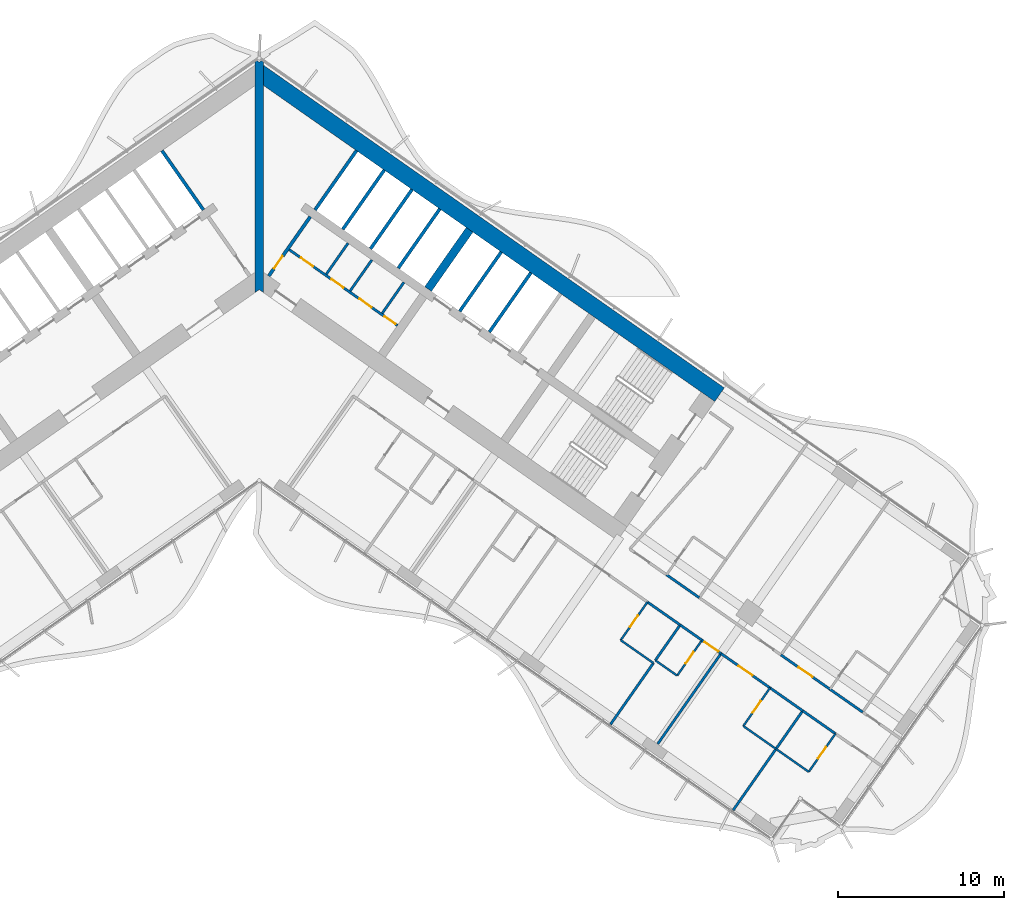
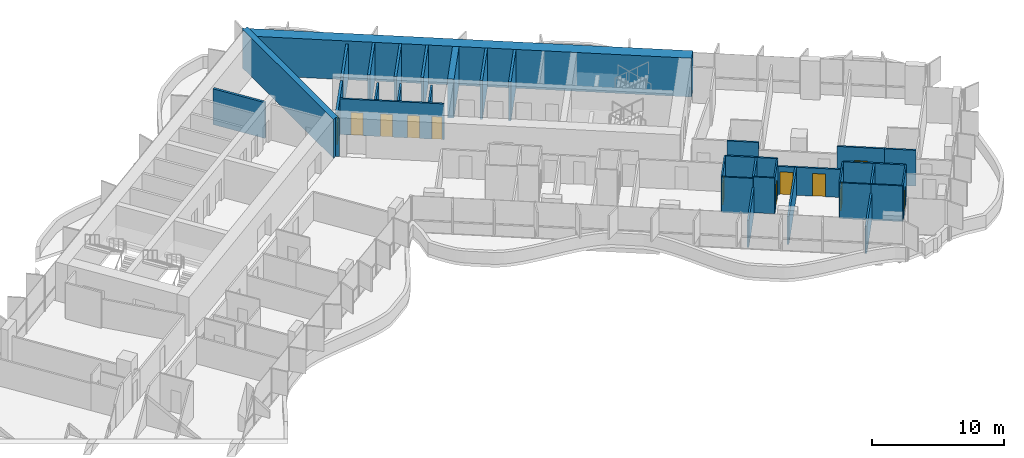
# One storey, part 16 of 24: 37 walls, 12 doors, 12 openings.
"""IFC4 building model written with IfcOpenShell, lengths in metres."""

import ifcopenshell
import ifcopenshell.guid

model = None  # the IFC model being written
_history = None  # IfcOwnerHistory: only IFC2X3 demands one
_inside = {}  # id of a spatial element -> (the spatial element, [elements in it])
_under = {}  # id of a project, library or spatial element -> (it, [spatial elements below it])
_declared = {}  # id of a project -> (the project, [libraries it declares])
_typed = {}  # id of a type object -> (the type object, [elements of that type])
_made_of = {}  # id of a material, layer set ... -> (it, [elements and type objects made of it])


def new_model(schema):
    """Start an empty IFC model of exactly this schema.

    Asked for "IFC4X3", IfcOpenShell would pick the latest addendum, in which some entities
    have other attributes; the version numbers below select the first issue.
    IFC2X3 requires an IfcOwnerHistory on every rooted entity: one is made here for all.
    """
    global model, _history
    if schema == "IFC4X3":
        model = ifcopenshell.file(schema_version=(4, 3, 0, 0))
    else:
        model = ifcopenshell.file(schema=schema)
    _inside.clear()
    _under.clear()
    _declared.clear()
    _typed.clear()
    _made_of.clear()
    _history = None
    if model.schema == "IFC2X3":
        org = make("IfcOrganization", Name="unknown")
        user = make(
            "IfcPersonAndOrganization",
            ThePerson=make("IfcPerson", FamilyName="unknown"),
            TheOrganization=org,
        )
        app = make(
            "IfcApplication",
            ApplicationDeveloper=org,
            Version="unknown",
            ApplicationFullName="unknown",
            ApplicationIdentifier="unknown",
        )
        _history = make(
            "IfcOwnerHistory",
            OwningUser=user,
            OwningApplication=app,
            ChangeAction="ADDED",
            CreationDate=0,
        )
    return model


def make(cls, **values):
    """One entity of the class cls with the attributes given. An attribute that is None is left unset."""
    return model.create_entity(
        cls, **{name: value for name, value in values.items() if value is not None}
    )


def rooted(cls, **values):
    """An entity with a GlobalId (a new one), such as an element, a storey or a relation."""
    return make(cls, GlobalId=ifcopenshell.guid.new(), OwnerHistory=_history, **values)


def si_unit(unit_type, name, prefix=None):
    """IfcSIUnit, for example si_unit("LENGTHUNIT", "METRE", prefix="MILLI")."""
    return make("IfcSIUnit", UnitType=unit_type, Prefix=prefix, Name=name)


def assignment(units):
    """IfcUnitAssignment: the units of a project."""
    return None if units is None else make("IfcUnitAssignment", Units=units)


def point(xyz):
    """IfcCartesianPoint."""
    return None if xyz is None else make("IfcCartesianPoint", Coordinates=xyz)


def direction(xyz):
    """IfcDirection."""
    return None if xyz is None else make("IfcDirection", DirectionRatios=xyz)


def frame(location, z_axis=None, x_axis=None):
    """IfcAxis2Placement3D, a coordinate frame: its origin and axes. An axis left out is left unset."""
    return make(
        "IfcAxis2Placement3D",
        Location=point(location),
        Axis=direction(z_axis),
        RefDirection=direction(x_axis),
    )


def frame_2d(location, x_axis=None):
    """IfcAxis2Placement2D, a coordinate frame in the plane: its origin and x axis."""
    return make(
        "IfcAxis2Placement2D", Location=point(location), RefDirection=direction(x_axis)
    )


def origin():
    """The frame at (0, 0, 0) with its axes left unset."""
    return frame((0.0, 0.0, 0.0))


def place(relative_to, where):
    """IfcLocalPlacement: puts the frame where relative to a parent placement (None: the world)."""
    return make(
        "IfcLocalPlacement", PlacementRelTo=relative_to, RelativePlacement=where
    )


def context(
    kind, dimensions, precision=None, world=None, true_north=None, identifier=None
):
    """IfcGeometricRepresentationContext, for example the 3D "Model" context."""
    return make(
        "IfcGeometricRepresentationContext",
        ContextIdentifier=identifier,
        ContextType=kind,
        CoordinateSpaceDimension=dimensions,
        Precision=precision,
        WorldCoordinateSystem=world,
        TrueNorth=true_north,
    )


def subcontext(parent, identifier, kind, view, scale=None):
    """IfcGeometricRepresentationSubContext, for example "Body" below "Model"."""
    return make(
        "IfcGeometricRepresentationSubContext",
        ContextIdentifier=identifier,
        ContextType=kind,
        ParentContext=parent,
        TargetScale=scale,
        TargetView=view,
    )


def project(units=None, contexts=None):
    """IfcProject with its units and contexts."""
    return rooted(
        "IfcProject",
        Name="project",
        RepresentationContexts=contexts,
        UnitsInContext=assignment(units),
    )


def spatial(cls, under=None, at=None, **own):
    """A site, building, storey or space (cls), placed at a placement, below another one or the project."""
    s = rooted(cls, ObjectPlacement=at, **own)
    if under is not None:
        _under.setdefault(under.id(), (under, []))[1].append(s)
    return s


def polyline(points):
    """IfcPolyline through the points."""
    return make("IfcPolyline", Points=[point(p) for p in points])


def profile(cls, at=None, kind="AREA", **sizes):
    """A parametric profile (cls). Its sizes go by their IFC names, for example OverallWidth=200.0."""
    return make(cls, ProfileType=kind, Position=at, **sizes)


def rectangle(**sizes):
    """IfcRectangleProfileDef."""
    return profile("IfcRectangleProfileDef", **sizes)


def outline(outer, holes=None, kind="AREA"):
    """IfcArbitraryClosedProfileDef: a profile drawn as a closed curve; with holes, ...WithVoids."""
    if holes is None:
        return make("IfcArbitraryClosedProfileDef", ProfileType=kind, OuterCurve=outer)
    return make(
        "IfcArbitraryProfileDefWithVoids",
        ProfileType=kind,
        OuterCurve=outer,
        InnerCurves=holes,
    )


def extrude(swept, where, along, depth):
    """IfcExtrudedAreaSolid: the profile swept, set in the frame where, extruded along a direction by depth."""
    return make(
        "IfcExtrudedAreaSolid",
        SweptArea=swept,
        Position=where,
        ExtrudedDirection=direction(along),
        Depth=depth,
    )


def shape(context_of_items, identifier, shape_type, items):
    """IfcShapeRepresentation: the items that make up one representation, for example the "Body"."""
    return make(
        "IfcShapeRepresentation",
        ContextOfItems=context_of_items,
        RepresentationIdentifier=identifier,
        RepresentationType=shape_type,
        Items=items,
    )


def material(Name=None, Category=None):
    """IfcMaterial."""
    return make("IfcMaterial", Name=Name, Category=Category)


def layer(
    of_material, thickness, ventilated=None, Name=None, Category=None, Priority=None
):
    """IfcMaterialLayer: one layer of a wall or slab, of a material (None: an air gap)."""
    return make(
        "IfcMaterialLayer",
        Material=of_material,
        LayerThickness=thickness,
        IsVentilated=ventilated,
        Name=Name,
        Category=Category,
        Priority=Priority,
    )


def layer_set(layers, Name=None):
    """IfcMaterialLayerSet."""
    return make("IfcMaterialLayerSet", MaterialLayers=layers, LayerSetName=Name)


def made_of(thing, what):
    """Note that an element or type object is made of a material, layer set ...; save() writes the relation."""
    if what is not None:
        _made_of.setdefault(what.id(), (what, []))[1].append(thing)
    return thing


def type_object(cls, material=None, **own):
    """A type object (cls), such as IfcWallType, which elements share."""
    return made_of(rooted(cls, **own), material)


def element(
    cls,
    number,
    at=None,
    inside=None,
    cuts=None,
    type_object=None,
    material=None,
    context=None,
    identifier="Body",
    shape_type=None,
    held_by="IfcProductDefinitionShape",
    body=None,
    shapes=None,
    **own,
):
    """One element of the class cls, such as IfcWall. Its Tag is "e" and its number.

    at: its placement. inside: the storey or other place that contains it. cuts: it is an
    opening in that element (IfcRelVoidsElement). A single representation is given by context,
    identifier, shape_type and body (its items); several are given by shapes. held_by: the class
    of the entity that holds the representations. save() writes the other relations.
    """
    e = rooted(cls, Tag="e%d" % number, ObjectPlacement=at, **own)
    if body is not None:
        shapes = [shape(context, identifier, shape_type, body)]
    if shapes is not None:
        e.Representation = make(held_by, Representations=shapes)
    if inside is not None:
        _inside.setdefault(inside.id(), (inside, []))[1].append(e)
    if cuts is not None:
        rooted(
            "IfcRelVoidsElement", RelatingBuildingElement=cuts, RelatedOpeningElement=e
        )
    if type_object is not None:
        _typed.setdefault(type_object.id(), (type_object, []))[1].append(e)
    return made_of(e, material)


def fill(opening, filler):
    """IfcRelFillsElement: the door or window that sits in an opening."""
    return rooted(
        "IfcRelFillsElement",
        RelatingOpeningElement=opening,
        RelatedBuildingElement=filler,
    )


def aggregate(whole, parts):
    """IfcRelAggregates: a whole, such as a stair, and the parts it consists of."""
    return rooted("IfcRelAggregates", RelatingObject=whole, RelatedObjects=parts)


def save(model, path):
    """Write the relations noted so far, then the file.

    IfcRelAggregates (storeys below a building ...), IfcRelContainedInSpatialStructure (elements
    in a storey), IfcRelDefinesByType, IfcRelAssociatesMaterial and IfcRelDeclares: one each for
    every whole, place, type object, material and project.
    """
    for whole, parts in _under.values():
        aggregate(whole, parts)
    for where, things in _inside.values():
        rooted(
            "IfcRelContainedInSpatialStructure",
            RelatedElements=things,
            RelatingStructure=where,
        )
    for kind, things in _typed.values():
        rooted("IfcRelDefinesByType", RelatedObjects=things, RelatingType=kind)
    for what, things in _made_of.values():
        rooted("IfcRelAssociatesMaterial", RelatedObjects=things, RelatingMaterial=what)
    for by, libraries in _declared.values():
        rooted("IfcRelDeclares", RelatingContext=by, RelatedDefinitions=libraries)
    model.write(path)


model = new_model("IFC4")

# Units and contexts
model_context = context("Model", 3, precision=1e-05, world=origin(), true_north=direction((0.0, 1.0)))
body_context = subcontext(model_context, "Body", "Model", "MODEL_VIEW")
ifc_project = project(units=[si_unit("LENGTHUNIT", "METRE"), si_unit("AREAUNIT", "SQUARE_METRE"), si_unit("VOLUMEUNIT", "CUBIC_METRE"), si_unit("PLANEANGLEUNIT", "RADIAN"), si_unit("MASSUNIT", "GRAM", prefix="KILO")], contexts=[model_context])

# Site, building, storey
site_placement = place(None, origin())
site = spatial("IfcSite", under=ifc_project, at=site_placement, CompositionType="ELEMENT")
building_placement = place(site_placement, origin())
building = spatial("IfcBuilding", under=site, at=building_placement, Name="Tel Ilan Convention Tower", CompositionType="ELEMENT")
storey_placement = place(building_placement, frame((0.0, 0.0, 68.89990234375)))
storey = spatial("IfcBuildingStorey", under=building, at=storey_placement, Name="L12", CompositionType="ELEMENT", Elevation=68.89990234375)

# Wall, openings, doors
ifc_material_1 = material(Name="Gypsum Plasterboard on Steel Stud", Category="steel")
ifc_layer_1 = layer(ifc_material_1, 0.14990234375)
ifc_layer_set_1 = layer_set([ifc_layer_1], Name="Core Room Partition Wall 150 mm EI 60")
wall_type_1 = type_object("IfcWallType", Name="Core Room Partition Wall 150 mm EI 60", PredefinedType="PARTITIONING", material=ifc_layer_set_1)
wall_1_placement = place(storey_placement, frame((1.802490234375, 1.179443359375, 0.0), z_axis=(0.0, 0.0, 1.0), x_axis=(0.819142461705, -0.573590121456, 0.0)))
wall_1 = element("IfcWall", 1, at=wall_1_placement, inside=storey, type_object=wall_type_1, Name="L12 core wall wc-h1", PredefinedType="PARTITIONING", context=body_context, shape_type="SweptSolid", body=[
    extrude(rectangle(XDim=7.949951171875, YDim=0.14990234375, at=frame_2d((3.97509765625, 0.0))), origin(), (0.0, 0.0, 1.0), 3.320068359375),
])
opening_1_placement = place(wall_1_placement, frame((0.85009765625, 0.0, 0.0)))
opening_1 = element("IfcOpeningElement", 2, at=opening_1_placement, cuts=wall_1, Name="Opening CD1211", PredefinedType="OPENING", context=body_context, shape_type="SweptSolid", body=[
    extrude(rectangle(XDim=0.89990234375, YDim=2.10009765625, at=frame_2d((0.449951171875, 1.050048828125))), frame((0.0, 0.0849609375, 0.0), z_axis=(0.0, -1.0, 0.0), x_axis=(1.0, 0.0, 0.0)), (0.0, 0.0, 1.0), 0.169921875),
])
opening_2_placement = place(wall_1_placement, frame((3.10009765625, 0.0, 0.0)))
opening_2 = element("IfcOpeningElement", 3, at=opening_2_placement, cuts=wall_1, Name="Opening CD1208", PredefinedType="OPENING", context=body_context, shape_type="SweptSolid", body=[
    extrude(rectangle(XDim=0.89990234375, YDim=2.10009765625, at=frame_2d((0.449951171875, 1.050048828125))), frame((0.0, 0.0849609375, 0.0), z_axis=(0.0, -1.0, 0.0), x_axis=(1.0, 0.0, 0.0)), (0.0, 0.0, 1.0), 0.169921875),
])
opening_3_placement = place(wall_1_placement, frame((5.14990234375, 0.0, 0.0)))
opening_3 = element("IfcOpeningElement", 4, at=opening_3_placement, cuts=wall_1, Name="Opening CD1210", PredefinedType="OPENING", context=body_context, shape_type="SweptSolid", body=[
    extrude(rectangle(XDim=0.89990234375, YDim=2.10009765625, at=frame_2d((0.449951171875, 1.050048828125))), frame((0.0, 0.0849609375, 0.0), z_axis=(0.0, -1.0, 0.0), x_axis=(1.0, 0.0, 0.0)), (0.0, 0.0, 1.0), 0.169921875),
])
opening_4_placement = place(wall_1_placement, frame((7.0, 0.0, 0.0)))
opening_4 = element("IfcOpeningElement", 5, at=opening_4_placement, cuts=wall_1, Name="Opening CD1209", PredefinedType="OPENING", context=body_context, shape_type="SweptSolid", body=[
    extrude(rectangle(XDim=0.800048828125, YDim=2.10009765625, at=frame_2d((0.39990234375, 1.050048828125))), frame((0.0, 0.0849609375, 0.0), z_axis=(0.0, -1.0, 0.0), x_axis=(1.0, 0.0, 0.0)), (0.0, 0.0, 1.0), 0.169921875),
])
ifc_material_2 = material(Name="Galvanised Steel Door Leaf", Category="steel")
door_type_1 = type_object("IfcDoorType", Name="Store Door 800 x 2100 FD60", OperationType="NOTDEFINED", PredefinedType="DOOR", material=ifc_material_2)
door_1_placement = place(opening_4_placement, origin())
door_1 = element("IfcDoor", 6, at=door_1_placement, inside=storey, type_object=door_type_1, Name="Cleaner's store door", OperationType="SINGLE_SWING_RIGHT", OverallHeight=2.10009765625, OverallWidth=0.800048828125, PredefinedType="DOOR", context=body_context, shape_type="SweptSolid", body=[
    extrude(rectangle(XDim=0.800048828125, YDim=2.10009765625, at=frame_2d((0.39990234375, 1.050048828125))), frame((0.0, 0.02490234375, 0.0), z_axis=(0.0, -1.0, 0.0), x_axis=(1.0, 0.0, 0.0)), (0.0, 0.0, 1.0), 0.050048828125),
])
fill(opening_4, door_1)
ifc_material_3 = material(Name="Laminated Timber Door Leaf", Category="wood")
door_type_2 = type_object("IfcDoorType", Name="Toilet Door 900 x 2100 FD30S", OperationType="NOTDEFINED", PredefinedType="DOOR", material=ifc_material_3)
door_2_placement = place(opening_1_placement, origin())
door_2 = element("IfcDoor", 7, at=door_2_placement, inside=storey, type_object=door_type_2, Name="Women's WC door", OperationType="SINGLE_SWING_RIGHT", OverallHeight=2.10009765625, OverallWidth=0.89990234375, PredefinedType="DOOR", context=body_context, shape_type="SweptSolid", body=[
    extrude(rectangle(XDim=0.89990234375, YDim=2.10009765625, at=frame_2d((0.449951171875, 1.050048828125))), frame((0.0, 0.02490234375, 0.0), z_axis=(0.0, -1.0, 0.0), x_axis=(1.0, 0.0, 0.0)), (0.0, 0.0, 1.0), 0.050048828125),
])
fill(opening_1, door_2)
door_3_placement = place(opening_2_placement, origin())
door_3 = element("IfcDoor", 8, at=door_3_placement, inside=storey, type_object=door_type_2, Name="Accessible WC door", OperationType="SINGLE_SWING_RIGHT", OverallHeight=2.10009765625, OverallWidth=0.89990234375, PredefinedType="DOOR", context=body_context, shape_type="SweptSolid", body=[
    extrude(rectangle(XDim=0.89990234375, YDim=2.10009765625, at=frame_2d((0.449951171875, 1.050048828125))), frame((0.0, 0.02490234375, 0.0), z_axis=(0.0, -1.0, 0.0), x_axis=(1.0, 0.0, 0.0)), (0.0, 0.0, 1.0), 0.050048828125),
])
fill(opening_2, door_3)
door_4_placement = place(opening_3_placement, origin())
door_4 = element("IfcDoor", 9, at=door_4_placement, inside=storey, type_object=door_type_2, Name="Men's WC door", OperationType="SINGLE_SWING_RIGHT", OverallHeight=2.10009765625, OverallWidth=0.89990234375, PredefinedType="DOOR", context=body_context, shape_type="SweptSolid", body=[
    extrude(rectangle(XDim=0.89990234375, YDim=2.10009765625, at=frame_2d((0.449951171875, 1.050048828125))), frame((0.0, 0.02490234375, 0.0), z_axis=(0.0, -1.0, 0.0), x_axis=(1.0, 0.0, 0.0)), (0.0, 0.0, 1.0), 0.050048828125),
])
fill(opening_3, door_4)

# Walls
for number, where, z_axis, x_axis, name in (
    (10, (4.03662109375, -0.29345703125, 0.0), (0.0, 0.0, 1.0), (0.573599181114, 0.819136117764, 0.0), "L12 core wall wc-v0"),
    (11, (5.47021484375, -1.297119140625, 0.0), (0.0, 0.0, 1.0), (0.573599181114, 0.819136117764, 0.0), "L12 core wall wc-v1"),
    (12, (7.395263671875, -2.64501953125, 0.0), (0.0, 0.0, 1.0), (0.573599181114, 0.819136117764, 0.0), "L12 core wall wc-v2"),
):
    element("IfcWall", number, at=place(storey_placement, frame(where, z_axis=z_axis, x_axis=x_axis)), inside=storey, type_object=wall_type_1, Name=name, PredefinedType="PARTITIONING", context=body_context, shape_type="SweptSolid", body=[
        extrude(rectangle(XDim=2.27490234375, YDim=0.14990234375, at=frame_2d((1.137451171875, 0.0))), origin(), (0.0, 0.0, 1.0), 3.320068359375),
    ])
ifc_material_4 = material(Name="Concrete C30/37", Category="concrete")
ifc_layer_2 = layer(ifc_material_4, 0.199951171875)
ifc_layer_set_2 = layer_set([ifc_layer_2], Name="Core Service Room Wall 200 mm C30/37")
wall_type_2 = type_object("IfcWallType", Name="Core Service Room Wall 200 mm C30/37", PredefinedType="SOLIDWALL", material=ifc_layer_set_2)
wall_2_placement = place(storey_placement, frame((-3.355224609375, 3.5712890625, 0.0), z_axis=(0.0, 0.0, 1.0), x_axis=(-0.57356780395, 0.819158088694, 0.0)))
element("IfcWall", 13, at=wall_2_placement, inside=storey, type_object=wall_type_2, Name="L12 core wall apex-W-b", PredefinedType="SOLIDWALL", context=body_context, shape_type="SweptSolid", body=[
    extrude(rectangle(XDim=4.35009765625, YDim=0.199951171875, at=frame_2d((2.175048828125, 0.0))), origin(), (0.0, 0.0, 1.0), 3.320068359375),
])

# Wall, opening, door
wall_3_placement = place(storey_placement, frame((0.573486328125, -0.401611328125, 0.0), z_axis=(0.0, 0.0, 1.0), x_axis=(0.57356780395, 0.819158088694, 0.0)))
wall_3 = element("IfcWall", 14, at=wall_3_placement, inside=storey, type_object=wall_type_2, Name="L12 core wall apex-E", PredefinedType="SOLIDWALL", context=body_context, shape_type="SweptSolid", body=[
    extrude(rectangle(XDim=4.35009765625, YDim=0.199951171875, at=frame_2d((2.175048828125, 0.0))), origin(), (0.0, 0.0, 1.0), 3.320068359375),
])
opening_5_placement = place(wall_3_placement, frame((0.550048828125, 0.0, 0.0)))
opening_5 = element("IfcOpeningElement", 15, at=opening_5_placement, cuts=wall_3, Name="Opening CD1201", PredefinedType="OPENING", context=body_context, shape_type="SweptSolid", body=[
    extrude(rectangle(XDim=0.89990234375, YDim=2.10009765625, at=frame_2d((0.449951171875, 1.050048828125))), frame((0.0, 0.10986328125, 0.0), z_axis=(0.0, -1.0, 0.0), x_axis=(1.0, 0.0, 0.0)), (0.0, 0.0, 1.0), 0.219970703125),
])
ifc_material_5 = material(Name="Galvanised Steel Door Leaf", Category="steel")
door_type_3 = type_object("IfcDoorType", Name="Service Room Door 900 x 2100 FD60", OperationType="NOTDEFINED", PredefinedType="DOOR", material=ifc_material_5)
door_5_placement = place(opening_5_placement, origin())
door_5 = element("IfcDoor", 16, at=door_5_placement, inside=storey, type_object=door_type_3, Name="Data Room door", OperationType="SINGLE_SWING_RIGHT", OverallHeight=2.10009765625, OverallWidth=0.89990234375, PredefinedType="DOOR", context=body_context, shape_type="SweptSolid", body=[
    extrude(rectangle(XDim=0.89990234375, YDim=2.10009765625, at=frame_2d((0.449951171875, 1.050048828125))), frame((0.0, 0.02490234375, 0.0), z_axis=(0.0, -1.0, 0.0), x_axis=(1.0, 0.0, 0.0)), (0.0, 0.0, 1.0), 0.050048828125),
])
fill(opening_5, door_5)

# Walls
wall_4_placement = place(storey_placement, frame((3.355224609375, 3.5712890625, 0.0), z_axis=(0.0, 0.0, 1.0), x_axis=(0.57356780395, 0.819158088694, 0.0)))
element("IfcWall", 17, at=wall_4_placement, inside=storey, type_object=wall_type_2, Name="L12 core wall apex-E-b", PredefinedType="SOLIDWALL", context=body_context, shape_type="SweptSolid", body=[
    extrude(rectangle(XDim=4.35009765625, YDim=0.199951171875, at=frame_2d((2.175048828125, 0.0))), origin(), (0.0, 0.0, 1.0), 3.320068359375),
])
ifc_material_6 = material(Name="Concrete C60/75", Category="concrete")
ifc_layer_3 = layer(ifc_material_6, 1.0)
ifc_layer_set_3 = layer_set([ifc_layer_3], Name="Core Shear Wall 1000 mm C60/75")
wall_type_3 = type_object("IfcWallType", Name="Core Shear Wall 1000 mm C60/75", PredefinedType="SHEAR", material=ifc_layer_set_3)
wall_5_placement = place(storey_placement, frame((-0.036865234375, 11.8671875, 0.0), z_axis=(0.0, 0.0, 1.0), x_axis=(0.819155306259, -0.573571777746, 0.0)))
element("IfcWall", 18, at=wall_5_placement, inside=storey, type_object=wall_type_3, Name="L12 core wall E-back", PredefinedType="SHEAR", context=body_context, shape_type="SweptSolid", body=[
    extrude(outline(polyline([(33.8369140625, 0.5), (0.0, 0.5), (0.7001953125, -0.499755859375), (33.8369140625, -0.5), (33.8369140625, 0.5)])), origin(), (0.0, 0.0, 1.0), 3.60009765625),
])
ifc_material_7 = material(Name="Concrete C60/75", Category="concrete")
ifc_layer_4 = layer(ifc_material_7, 0.5)
ifc_layer_set_4 = layer_set([ifc_layer_4], Name="Core Shear Wall 500 mm C60/75")
wall_type_4 = type_object("IfcWallType", Name="Core Shear Wall 500 mm C60/75", PredefinedType="SHEAR", material=ifc_layer_set_4)
wall_6_placement = place(storey_placement, frame((10.154296875, -1.189208984375, 0.0), z_axis=(0.0, 0.0, 1.0), x_axis=(0.573594173421, 0.819139624372, 0.0)))
element("IfcWall", 19, at=wall_6_placement, inside=storey, type_object=wall_type_4, Name="L12 core wall E-cross1-2", PredefinedType="SHEAR", context=body_context, shape_type="SweptSolid", body=[
    extrude(outline(polyline([(4.349853515625, -0.25), (4.349853515625, 0.25), (-0.000244140625, 0.25), (-0.000244140625, -0.25), (4.349853515625, -0.25)])), origin(), (0.0, 0.0, 1.0), 3.60009765625),
])
wall_7_placement = place(storey_placement, frame((0.0, -1.395751953125, 0.0), z_axis=(0.0, 0.0, 1.0), x_axis=(0.0, 1.0, 0.0)))
element("IfcWall", 20, at=wall_7_placement, inside=storey, type_object=wall_type_4, Name="L12 core wall K-central", PredefinedType="SHEAR", context=body_context, shape_type="SweptSolid", body=[
    extrude(outline(polyline([(0.0, -0.25), (0.175048828125, -0.25), (1.220703125, -0.25), (12.451904296875, -0.25), (13.84765625, -0.25), (13.85693359375, -0.25), (13.96826171875, -0.172119140625), (13.84765625, 0.0), (13.96826171875, 0.172119140625), (13.85693359375, 0.25), (13.84765625, 0.25), (12.451904296875, 0.25), (1.220703125, 0.25), (0.175048828125, 0.25), (0.0, 0.25), (0.175048828125, 0.0), (0.0, -0.25)])), origin(), (0.0, 0.0, 1.0), 3.60009765625),
])
ifc_material_8 = material(Name="Plasterboard on Steel Studs", Category="steel")
ifc_layer_5 = layer(ifc_material_8, 0.14990234375)
ifc_layer_set_5 = layer_set([ifc_layer_5], Name="Fire-rated Partition 150 EI 60")
wall_type_5 = type_object("IfcWallType", Name="Fire-rated Partition 150 EI 60", PredefinedType="PARTITIONING", material=ifc_layer_set_5)
wall_8_placement = place(storey_placement, frame((24.49072265625, -18.369384765625, 0.0), z_axis=(0.0, 0.0, 1.0), x_axis=(0.819179439794, -0.573537309527, 0.0)))
element("IfcWall", 21, at=wall_8_placement, inside=storey, type_object=wall_type_5, Name="Partition 002", PredefinedType="PARTITIONING", context=body_context, shape_type="SweptSolid", body=[
    extrude(rectangle(XDim=2.404296875, YDim=0.14990234375, at=frame_2d((1.2021484375, 0.0))), origin(), (0.0, 0.0, 1.0), 3.320068359375),
])

# Wall, opening, door
wall_9_placement = place(storey_placement, frame((31.37158203125, -23.1875, 0.0), z_axis=(0.0, 0.0, 1.0), x_axis=(0.819145961204, -0.573585123798, 0.0)))
wall_9 = element("IfcWall", 22, at=wall_9_placement, inside=storey, type_object=wall_type_5, Name="Partition 004", PredefinedType="PARTITIONING", context=body_context, shape_type="SweptSolid", body=[
    extrude(rectangle(XDim=3.60302734375, YDim=0.14990234375, at=frame_2d((1.801513671875, 0.0))), origin(), (0.0, 0.0, 1.0), 3.320068359375),
])
opening_6_placement = place(wall_9_placement, frame((1.302001953125, 0.0, 0.0)))
opening_6 = element("IfcOpeningElement", 23, at=opening_6_placement, cuts=wall_9, Name="Opening L11-038", PredefinedType="OPENING", context=body_context, shape_type="SweptSolid", body=[
    extrude(rectangle(XDim=1.0, YDim=2.10009765625, at=frame_2d((0.5, 1.050048828125))), frame((0.0, 0.0849609375, 0.0), z_axis=(0.0, -1.0, 0.0), x_axis=(1.0, 0.0, 0.0)), (0.0, 0.0, 1.0), 0.169921875),
])
ifc_material_9 = material(Name="Timber Door Leaf in Steel Frame", Category="steel")
door_type_4 = type_object("IfcDoorType", Name="Hotel Room Entrance Fire Door 1000x2100", OperationType="NOTDEFINED", PredefinedType="DOOR", material=ifc_material_9)
door_6_placement = place(opening_6_placement, origin())
door_6 = element("IfcDoor", 24, at=door_6_placement, inside=storey, type_object=door_type_4, Name="Door L11-038", OperationType="SINGLE_SWING_RIGHT", OverallHeight=2.10009765625, OverallWidth=1.0, PredefinedType="DOOR", context=body_context, shape_type="SweptSolid", body=[
    extrude(rectangle(XDim=1.0, YDim=2.10009765625, at=frame_2d((0.5, 1.050048828125))), frame((0.0, 0.02490234375, 0.0), z_axis=(0.0, -1.0, 0.0), x_axis=(1.0, 0.0, 0.0)), (0.0, 0.0, 1.0), 0.050048828125),
])
fill(opening_6, door_6)

# Walls
wall_10_placement = place(storey_placement, frame((34.32080078125, -25.25244140625, 0.0), z_axis=(0.0, 0.0, 1.0), x_axis=(0.819160338113, -0.573564591361, 0.0)))
element("IfcWall", 25, at=wall_10_placement, inside=storey, type_object=wall_type_5, Name="Partition 005", PredefinedType="PARTITIONING", context=body_context, shape_type="SweptSolid", body=[
    extrude(rectangle(XDim=2.403564453125, YDim=0.14990234375, at=frame_2d((1.20166015625, 0.0))), origin(), (0.0, 0.0, 1.0), 3.320068359375),
])
wall_11_placement = place(storey_placement, frame((25.31298828125, -21.38671875, 0.0), z_axis=(0.0, 0.0, 1.0), x_axis=(-0.819146032251, 0.573585022335, 0.0)))
element("IfcWall", 26, at=wall_11_placement, inside=storey, type_object=wall_type_5, Name="Partition 015", PredefinedType="PARTITIONING", context=body_context, shape_type="SweptSolid", body=[
    extrude(rectangle(XDim=2.404052734375, YDim=0.14990234375, at=frame_2d((1.2021484375, 0.0))), origin(), (0.0, 0.0, 1.0), 3.320068359375),
])

# Wall, opening, door
wall_12_placement = place(storey_placement, frame((27.7705078125, -23.107421875, 0.0), z_axis=(0.0, 0.0, 1.0), x_axis=(-0.819117471667, 0.573625808005, 0.0)))
wall_12 = element("IfcWall", 27, at=wall_12_placement, inside=storey, type_object=wall_type_5, Name="Partition 016", PredefinedType="PARTITIONING", context=body_context, shape_type="SweptSolid", body=[
    extrude(rectangle(XDim=1.4033203125, YDim=0.14990234375, at=frame_2d((0.70166015625, 0.0))), origin(), (0.0, 0.0, 1.0), 2.60009765625),
])
opening_7_placement = place(wall_12_placement, frame((0.201904296875, 0.0, 0.0)))
opening_7 = element("IfcOpeningElement", 28, at=opening_7_placement, cuts=wall_12, Name="Opening L11-029", PredefinedType="OPENING", context=body_context, shape_type="SweptSolid", body=[
    extrude(rectangle(XDim=1.0, YDim=2.10009765625, at=frame_2d((0.5, 1.050048828125))), frame((0.0, 0.0849609375, 0.0), z_axis=(0.0, -1.0, 0.0), x_axis=(1.0, 0.0, 0.0)), (0.0, 0.0, 1.0), 0.169921875),
])
door_7_placement = place(opening_7_placement, origin())
door_7 = element("IfcDoor", 29, at=door_7_placement, inside=storey, type_object=door_type_4, Name="Door L11-029", OperationType="SINGLE_SWING_RIGHT", OverallHeight=2.10009765625, OverallWidth=1.0, PredefinedType="DOOR", context=body_context, shape_type="SweptSolid", body=[
    extrude(rectangle(XDim=1.0, YDim=2.10009765625, at=frame_2d((0.5, 1.050048828125))), frame((0.0, 0.02490234375, 0.0), z_axis=(0.0, -1.0, 0.0), x_axis=(1.0, 0.0, 0.0)), (0.0, 0.0, 1.0), 0.050048828125),
])
fill(opening_7, door_7)

# Wall
wall_13_placement = place(storey_placement, frame((26.62353515625, -22.30419921875, 0.0), z_axis=(0.0, 0.0, 1.0), x_axis=(-0.819189013667, 0.573523634986, 0.0)))
element("IfcWall", 30, at=wall_13_placement, inside=storey, type_object=wall_type_5, Name="Partition 017", PredefinedType="PARTITIONING", context=body_context, shape_type="SweptSolid", body=[
    extrude(rectangle(XDim=1.60400390625, YDim=0.14990234375, at=frame_2d((0.802001953125, 0.0))), origin(), (0.0, 0.0, 1.0), 3.320068359375),
])

# Wall, opening, door
wall_14_placement = place(storey_placement, frame((30.718505859375, -25.171630859375, 0.0), z_axis=(0.0, 0.0, 1.0), x_axis=(-0.819145961204, 0.573585123798, 0.0)))
wall_14 = element("IfcWall", 31, at=wall_14_placement, inside=storey, type_object=wall_type_5, Name="Partition 018", PredefinedType="PARTITIONING", context=body_context, shape_type="SweptSolid", body=[
    extrude(rectangle(XDim=3.60302734375, YDim=0.14990234375, at=frame_2d((1.801513671875, 0.0))), origin(), (0.0, 0.0, 1.0), 2.60009765625),
])
opening_8_placement = place(wall_14_placement, frame((1.301025390625, 0.0, 0.0)))
opening_8 = element("IfcOpeningElement", 32, at=opening_8_placement, cuts=wall_14, Name="Opening L11-031", PredefinedType="OPENING", context=body_context, shape_type="SweptSolid", body=[
    extrude(rectangle(XDim=1.0, YDim=2.10009765625, at=frame_2d((0.5, 1.050048828125))), frame((0.0, 0.0849609375, 0.0), z_axis=(0.0, -1.0, 0.0), x_axis=(1.0, 0.0, 0.0)), (0.0, 0.0, 1.0), 0.169921875),
])
door_8_placement = place(opening_8_placement, origin())
door_8 = element("IfcDoor", 33, at=door_8_placement, inside=storey, type_object=door_type_4, Name="Door L11-031", OperationType="SINGLE_SWING_LEFT", OverallHeight=2.10009765625, OverallWidth=1.0, PredefinedType="DOOR", context=body_context, shape_type="SweptSolid", body=[
    extrude(rectangle(XDim=1.0, YDim=2.10009765625, at=frame_2d((0.5, 1.050048828125))), frame((0.0, 0.02490234375, 0.0), z_axis=(0.0, -1.0, 0.0), x_axis=(1.0, 0.0, 0.0)), (0.0, 0.0, 1.0), 0.050048828125),
])
fill(opening_8, door_8)

# Walls
wall_15_placement = place(storey_placement, frame((32.685302734375, -26.548828125, 0.0), z_axis=(0.0, 0.0, 1.0), x_axis=(-0.819146032251, 0.573585022335, 0.0)))
element("IfcWall", 34, at=wall_15_placement, inside=storey, type_object=wall_type_5, Name="Partition 019", PredefinedType="PARTITIONING", context=body_context, shape_type="SweptSolid", body=[
    extrude(rectangle(XDim=2.404052734375, YDim=0.14990234375, at=frame_2d((1.2021484375, 0.0))), origin(), (0.0, 0.0, 1.0), 3.320068359375),
])
wall_16_placement = place(storey_placement, frame((34.6513671875, -27.92529296875, 0.0), z_axis=(0.0, 0.0, 1.0), x_axis=(-0.819179439794, 0.573537309527, 0.0)))
element("IfcWall", 35, at=wall_16_placement, inside=storey, type_object=wall_type_5, Name="Partition 021", PredefinedType="PARTITIONING", context=body_context, shape_type="SweptSolid", body=[
    extrude(rectangle(XDim=2.404296875, YDim=0.14990234375, at=frame_2d((1.2021484375, 0.0))), origin(), (0.0, 0.0, 1.0), 3.320068359375),
])
wall_17_placement = place(storey_placement, frame((23.70458984375, -23.679931640625, 0.0), z_axis=(0.0, 0.0, 1.0), x_axis=(-0.573553393703, -0.819168178442, 0.0)))
element("IfcWall", 36, at=wall_17_placement, inside=storey, type_object=wall_type_5, Name="Partition 067", PredefinedType="PARTITIONING", context=body_context, shape_type="SweptSolid", body=[
    extrude(rectangle(XDim=4.498779296875, YDim=0.14990234375, at=frame_2d((2.24951171875, 0.0))), origin(), (0.0, 0.0, 1.0), 2.5),
])
wall_18_placement = place(storey_placement, frame((25.311279296875, -21.385498046875, 0.0), z_axis=(0.0, 0.0, 1.0), x_axis=(-0.573588285102, -0.819143747577, 0.0)))
element("IfcWall", 37, at=wall_18_placement, inside=storey, type_object=wall_type_5, Name="Partition 068", PredefinedType="PARTITIONING", context=body_context, shape_type="SweptSolid", body=[
    extrude(rectangle(XDim=2.601806640625, YDim=0.14990234375, at=frame_2d((1.30078125, 0.0))), origin(), (0.0, 0.0, 1.0), 3.320068359375),
])
wall_19_placement = place(storey_placement, frame((27.768798828125, -23.106201171875, 0.0), z_axis=(0.0, 0.0, 1.0), x_axis=(-0.57359826181, -0.819136761505, 0.0)))
element("IfcWall", 38, at=wall_19_placement, inside=storey, type_object=wall_type_5, Name="Partition 071", PredefinedType="PARTITIONING", context=body_context, shape_type="SweptSolid", body=[
    extrude(rectangle(XDim=6.630126953125, YDim=0.14990234375, at=frame_2d((3.31494140625, 0.0))), origin(), (0.0, 0.0, 1.0), 2.60009765625),
])
wall_20_placement = place(storey_placement, frame((31.0771484375, -28.842041015625, 0.0), z_axis=(0.0, 0.0, 1.0), x_axis=(-0.573564311442, -0.819160534108, 0.0)))
element("IfcWall", 39, at=wall_20_placement, inside=storey, type_object=wall_type_5, Name="Partition 074", PredefinedType="PARTITIONING", context=body_context, shape_type="SweptSolid", body=[
    extrude(rectangle(XDim=4.499267578125, YDim=0.14990234375, at=frame_2d((2.24951171875, 0.0))), origin(), (0.0, 0.0, 1.0), 2.5),
])
wall_21_placement = place(storey_placement, frame((32.68359375, -26.547607421875, 0.0), z_axis=(0.0, 0.0, 1.0), x_axis=(-0.573550118428, -0.819170471667, 0.0)))
element("IfcWall", 40, at=wall_21_placement, inside=storey, type_object=wall_type_5, Name="Partition 075", PredefinedType="PARTITIONING", context=body_context, shape_type="SweptSolid", body=[
    extrude(rectangle(XDim=2.800048828125, YDim=0.14990234375, at=frame_2d((1.39990234375, 0.0))), origin(), (0.0, 0.0, 1.0), 3.320068359375),
])
ifc_material_10 = material(Name="Concrete C30/37", Category="concrete")
ifc_layer_6 = layer(ifc_material_10, 0.199951171875)
ifc_layer_set_6 = layer_set([ifc_layer_6], Name="Lift Shaft Wall 200 mm C30/37")
wall_type_6 = type_object("IfcWallType", Name="Lift Shaft Wall 200 mm C30/37", PredefinedType="SOLIDWALL", material=ifc_layer_set_6)
wall_22_placement = place(storey_placement, frame((5.0244140625, 2.402587890625, 0.0), z_axis=(0.0, 0.0, 1.0), x_axis=(0.573530143085, 0.819184457233, 0.0)))
element("IfcWall", 41, at=wall_22_placement, inside=storey, type_object=wall_type_6, Name="L12 core wall bank-E1-p0", PredefinedType="SOLIDWALL", context=body_context, shape_type="SweptSolid", body=[
    extrude(rectangle(XDim=4.35009765625, YDim=0.199951171875, at=frame_2d((2.175048828125, 0.0))), origin(), (0.0, 0.0, 1.0), 3.60009765625),
])
for number, where, z_axis, x_axis, name in (
    (42, (6.693359375, 1.234130859375, 0.0), (0.0, 0.0, 1.0), (0.573594173421, 0.819139624372, 0.0), "L12 core wall bank-E1-p1"),
    (43, (8.3623046875, 0.0654296875, 0.0), (0.0, 0.0, 1.0), (0.573594173421, 0.819139624372, 0.0), "L12 core wall bank-E1-p2"),
    (44, (12.05859375, -2.52294921875, 0.0), (0.0, 0.0, 1.0), (0.573594173421, 0.819139624372, 0.0), "L12 core wall bank-E2-p0"),
):
    element("IfcWall", number, at=place(storey_placement, frame(where, z_axis=z_axis, x_axis=x_axis)), inside=storey, type_object=wall_type_6, Name=name, PredefinedType="SOLIDWALL", context=body_context, shape_type="SweptSolid", body=[
        extrude(rectangle(XDim=4.349853515625, YDim=0.199951171875, at=frame_2d((2.1748046875, 0.0))), origin(), (0.0, 0.0, 1.0), 3.60009765625),
    ])
wall_23_placement = place(storey_placement, frame((13.84033203125, -3.7705078125, 0.0), z_axis=(0.0, 0.0, 1.0), x_axis=(0.57356780395, 0.819158088694, 0.0)))
element("IfcWall", 45, at=wall_23_placement, inside=storey, type_object=wall_type_6, Name="L12 core wall bank-E2-p1", PredefinedType="SOLIDWALL", context=body_context, shape_type="SweptSolid", body=[
    extrude(rectangle(XDim=4.35009765625, YDim=0.199951171875, at=frame_2d((2.175048828125, 0.0))), origin(), (0.0, 0.0, 1.0), 3.60009765625),
])

# Wall, opening, door
ifc_material_11 = material(Name="Plasterboard on Steel Studs", Category="steel")
ifc_layer_7 = layer(ifc_material_11, 0.1201171875)
ifc_layer_set_7 = layer_set([ifc_layer_7], Name="Moisture-resistant Partition 120")
wall_type_7 = type_object("IfcWallType", Name="Moisture-resistant Partition 120", PredefinedType="PARTITIONING", material=ifc_layer_set_7)
wall_24_placement = place(storey_placement, frame((23.344482421875, -20.00830078125, 0.0), z_axis=(0.0, 0.0, 1.0), x_axis=(-0.573550118428, -0.819170471667, 0.0)))
wall_24 = element("IfcWall", 46, at=wall_24_placement, inside=storey, type_object=wall_type_7, Name="Partition 065", PredefinedType="PARTITIONING", context=body_context, shape_type="SweptSolid", body=[
    extrude(rectangle(XDim=2.800048828125, YDim=0.1201171875, at=frame_2d((1.39990234375, 0.0))), origin(), (0.0, 0.0, 1.0), 3.320068359375),
])
opening_9_placement = place(wall_24_placement, frame((0.97509765625, 0.0, 0.0)))
opening_9 = element("IfcOpeningElement", 47, at=opening_9_placement, cuts=wall_24, Name="Opening L11-026", PredefinedType="OPENING", context=body_context, shape_type="SweptSolid", body=[
    extrude(rectangle(XDim=0.85009765625, YDim=2.050048828125, at=frame_2d((0.425048828125, 1.02490234375))), frame((0.0, 0.070068359375, 0.0), z_axis=(0.0, -1.0, 0.0), x_axis=(1.0, 0.0, 0.0)), (0.0, 0.0, 1.0), 0.14013671875),
])
ifc_material_12 = material(Name="Timber Door Leaf in Steel Frame", Category="steel")
door_type_5 = type_object("IfcDoorType", Name="Bathroom Timber Door 850x2050", OperationType="NOTDEFINED", PredefinedType="DOOR", material=ifc_material_12)
door_9_placement = place(opening_9_placement, origin())
door_9 = element("IfcDoor", 48, at=door_9_placement, inside=storey, type_object=door_type_5, Name="Door L11-026", OperationType="SINGLE_SWING_RIGHT", OverallHeight=2.050048828125, OverallWidth=0.85009765625, PredefinedType="DOOR", context=body_context, shape_type="SweptSolid", body=[
    extrude(rectangle(XDim=0.85009765625, YDim=2.050048828125, at=frame_2d((0.425048828125, 1.02490234375))), frame((0.0, 0.02490234375, 0.0), z_axis=(0.0, -1.0, 0.0), x_axis=(1.0, 0.0, 0.0)), (0.0, 0.0, 1.0), 0.050048828125),
])
fill(opening_9, door_9)

# Walls
wall_25_placement = place(storey_placement, frame((21.73876953125, -22.30322265625, 0.0), z_axis=(0.0, 0.0, 1.0), x_axis=(0.819107643868, -0.573639841501, 0.0)))
element("IfcWall", 49, at=wall_25_placement, inside=storey, type_object=wall_type_7, Name="Partition 066", PredefinedType="PARTITIONING", context=body_context, shape_type="SweptSolid", body=[
    extrude(rectangle(XDim=2.39990234375, YDim=0.1201171875, at=frame_2d((1.199951171875, 0.0))), origin(), (0.0, 0.0, 1.0), 3.320068359375),
])
wall_26_placement = place(storey_placement, frame((23.8193359375, -23.51611328125, 0.0), z_axis=(0.0, 0.0, 1.0), x_axis=(0.81918174131, -0.573534022273, 0.0)))
element("IfcWall", 50, at=wall_26_placement, inside=storey, type_object=wall_type_7, Name="Partition 069", PredefinedType="PARTITIONING", context=body_context, shape_type="SweptSolid", body=[
    extrude(rectangle(XDim=1.60009765625, YDim=0.1201171875, at=frame_2d((0.800048828125, 0.0))), origin(), (0.0, 0.0, 1.0), 3.320068359375),
])

# Wall, opening, door
wall_27_placement = place(storey_placement, frame((25.131591796875, -24.43359375, 0.0), z_axis=(0.0, 0.0, 1.0), x_axis=(0.573537965655, 0.819178980414, 0.0)))
wall_27 = element("IfcWall", 51, at=wall_27_placement, inside=storey, type_object=wall_type_7, Name="Partition 070", PredefinedType="PARTITIONING", context=body_context, shape_type="SweptSolid", body=[
    extrude(rectangle(XDim=2.60009765625, YDim=0.1201171875, at=frame_2d((1.300048828125, 0.0))), origin(), (0.0, 0.0, 1.0), 3.320068359375),
])
opening_10_placement = place(wall_27_placement, frame((0.875, 0.0, 0.0)))
opening_10 = element("IfcOpeningElement", 52, at=opening_10_placement, cuts=wall_27, Name="Opening L11-028", PredefinedType="OPENING", context=body_context, shape_type="SweptSolid", body=[
    extrude(rectangle(XDim=0.85009765625, YDim=2.050048828125, at=frame_2d((0.425048828125, 1.02490234375))), frame((0.0, 0.070068359375, 0.0), z_axis=(0.0, -1.0, 0.0), x_axis=(1.0, 0.0, 0.0)), (0.0, 0.0, 1.0), 0.14013671875),
])
door_10_placement = place(opening_10_placement, origin())
door_10 = element("IfcDoor", 53, at=door_10_placement, inside=storey, type_object=door_type_5, Name="Door L11-028", OperationType="SINGLE_SWING_LEFT", OverallHeight=2.050048828125, OverallWidth=0.85009765625, PredefinedType="DOOR", context=body_context, shape_type="SweptSolid", body=[
    extrude(rectangle(XDim=0.85009765625, YDim=2.050048828125, at=frame_2d((0.425048828125, 1.02490234375))), frame((0.0, 0.02490234375, 0.0), z_axis=(0.0, -1.0, 0.0), x_axis=(1.0, 0.0, 0.0)), (0.0, 0.0, 1.0), 0.050048828125),
])
fill(opening_10, door_10)

wall_28_placement = place(storey_placement, frame((30.716796875, -25.17041015625, 0.0), z_axis=(0.0, 0.0, 1.0), x_axis=(-0.573550118428, -0.819170471667, 0.0)))
wall_28 = element("IfcWall", 54, at=wall_28_placement, inside=storey, type_object=wall_type_7, Name="Partition 072", PredefinedType="PARTITIONING", context=body_context, shape_type="SweptSolid", body=[
    extrude(rectangle(XDim=2.800048828125, YDim=0.1201171875, at=frame_2d((1.39990234375, 0.0))), origin(), (0.0, 0.0, 1.0), 3.320068359375),
])
opening_11_placement = place(wall_28_placement, frame((0.97509765625, 0.0, 0.0)))
opening_11 = element("IfcOpeningElement", 55, at=opening_11_placement, cuts=wall_28, Name="Opening L11-030", PredefinedType="OPENING", context=body_context, shape_type="SweptSolid", body=[
    extrude(rectangle(XDim=0.85009765625, YDim=2.050048828125, at=frame_2d((0.425048828125, 1.02490234375))), frame((0.0, 0.070068359375, 0.0), z_axis=(0.0, -1.0, 0.0), x_axis=(1.0, 0.0, 0.0)), (0.0, 0.0, 1.0), 0.14013671875),
])
door_11_placement = place(opening_11_placement, origin())
door_11 = element("IfcDoor", 56, at=door_11_placement, inside=storey, type_object=door_type_5, Name="Door L11-030", OperationType="SINGLE_SWING_RIGHT", OverallHeight=2.050048828125, OverallWidth=0.85009765625, PredefinedType="DOOR", context=body_context, shape_type="SweptSolid", body=[
    extrude(rectangle(XDim=0.85009765625, YDim=2.050048828125, at=frame_2d((0.425048828125, 1.02490234375))), frame((0.0, 0.02490234375, 0.0), z_axis=(0.0, -1.0, 0.0), x_axis=(1.0, 0.0, 0.0)), (0.0, 0.0, 1.0), 0.050048828125),
])
fill(opening_11, door_11)

# Walls
for number, where, z_axis, x_axis, name in (
    (57, (29.111083984375, -27.465576171875, 0.0), (0.0, 0.0, 1.0), (0.819188907105, -0.573523787192, 0.0), "Partition 073"),
    (58, (31.0771484375, -28.842041015625, 0.0), (0.0, 0.0, 1.0), (0.819107643868, -0.573639841501, 0.0), "Partition 076"),
):
    element("IfcWall", number, at=place(storey_placement, frame(where, z_axis=z_axis, x_axis=x_axis)), inside=storey, type_object=wall_type_7, Name=name, PredefinedType="PARTITIONING", context=body_context, shape_type="SweptSolid", body=[
        extrude(rectangle(XDim=2.39990234375, YDim=0.1201171875, at=frame_2d((1.199951171875, 0.0))), origin(), (0.0, 0.0, 1.0), 3.320068359375),
    ])

# Wall, opening, door
wall_29_placement = place(storey_placement, frame((33.04443359375, -30.218505859375, 0.0), z_axis=(0.0, 0.0, 1.0), x_axis=(0.573550118428, 0.819170471667, 0.0)))
wall_29 = element("IfcWall", 59, at=wall_29_placement, inside=storey, type_object=wall_type_7, Name="Partition 077", PredefinedType="PARTITIONING", context=body_context, shape_type="SweptSolid", body=[
    extrude(rectangle(XDim=2.800048828125, YDim=0.1201171875, at=frame_2d((1.39990234375, 0.0))), origin(), (0.0, 0.0, 1.0), 3.320068359375),
])
opening_12_placement = place(wall_29_placement, frame((0.97509765625, 0.0, 0.0)))
opening_12 = element("IfcOpeningElement", 60, at=opening_12_placement, cuts=wall_29, Name="Opening L11-032", PredefinedType="OPENING", context=body_context, shape_type="SweptSolid", body=[
    extrude(rectangle(XDim=0.85009765625, YDim=2.050048828125, at=frame_2d((0.425048828125, 1.02490234375))), frame((0.0, 0.070068359375, 0.0), z_axis=(0.0, -1.0, 0.0), x_axis=(1.0, 0.0, 0.0)), (0.0, 0.0, 1.0), 0.14013671875),
])
door_12_placement = place(opening_12_placement, origin())
door_12 = element("IfcDoor", 61, at=door_12_placement, inside=storey, type_object=door_type_5, Name="Door L11-032", OperationType="SINGLE_SWING_RIGHT", OverallHeight=2.050048828125, OverallWidth=0.85009765625, PredefinedType="DOOR", context=body_context, shape_type="SweptSolid", body=[
    extrude(rectangle(XDim=0.85009765625, YDim=2.050048828125, at=frame_2d((0.425048828125, 1.02490234375))), frame((0.0, 0.02490234375, 0.0), z_axis=(0.0, -1.0, 0.0), x_axis=(1.0, 0.0, 0.0)), (0.0, 0.0, 1.0), 0.050048828125),
])
fill(opening_12, door_12)

save(model, "model.ifc")
